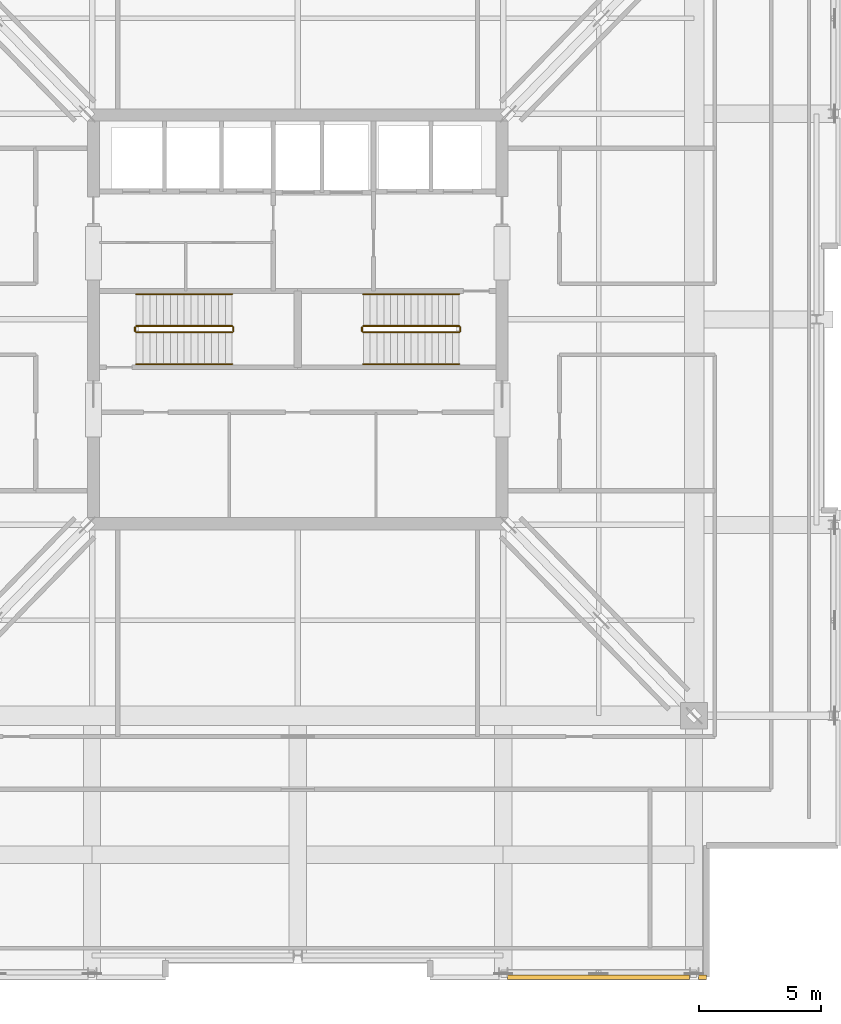
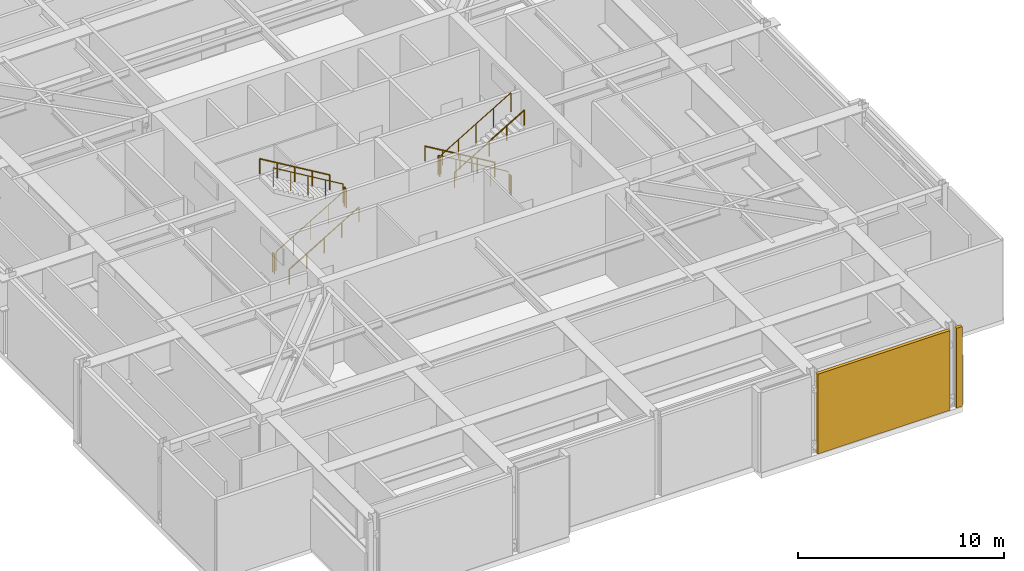
# One storey, part 9 of 10: 12 railings, 2 shading devices.
"""IFC4 building model written with IfcOpenShell, lengths in metres."""

from ifc_helpers import new_model, si_unit, direction, frame, origin, origin_2d, place, context, subcontext, project, spatial, rectangle, circle, extrude, material, layer, layer_set, type_object, element, save


model = new_model("IFC4")

# Units and contexts
model_context = context("Model", 3, precision=1e-05, world=origin(), true_north=direction((0.0, 1.0)))
body_context = subcontext(model_context, "Body", "Model", "MODEL_VIEW")
ifc_project = project(units=[si_unit("LENGTHUNIT", "METRE"), si_unit("AREAUNIT", "SQUARE_METRE"), si_unit("VOLUMEUNIT", "CUBIC_METRE"), si_unit("PLANEANGLEUNIT", "RADIAN"), si_unit("MASSUNIT", "GRAM", prefix="KILO")], contexts=[model_context])

# Site, building, storey
site_placement = place(None, origin())
site = spatial("IfcSite", under=ifc_project, at=site_placement, CompositionType="ELEMENT")
building_placement = place(site_placement, origin())
building = spatial("IfcBuilding", under=site, at=building_placement, Name="Drelvath Grand Hotel", CompositionType="ELEMENT")
storey_placement = place(building_placement, frame((0.0, 0.0, 260.0)))
storey = spatial("IfcBuildingStorey", under=building, at=storey_placement, Name="L68", CompositionType="ELEMENT", Elevation=260.0)

# Railings
ifc_material_1 = material(Name="Painted Steel S275", Category="steel")
railing_type_1 = type_object("IfcRailingType", Name="Core Stair Wall Handrail 900", PredefinedType="HANDRAIL", material=ifc_material_1)
railing_1_placement = place(storey_placement, frame((-6.60009765625, 25.169921875, 0.166748046875)))
element("IfcRailing", 1, at=railing_1_placement, inside=storey, type_object=railing_type_1, Name="L68 ST-1 stair handrail 1", PredefinedType="HANDRAIL", context=body_context, shape_type="SweptSolid", body=[
    extrude(circle(Radius=0.02392578125, at=origin_2d()), frame((0.0, 0.0, 0.8759765625), z_axis=(0.859310244771, 0.0, 0.511454693235), x_axis=(0.0, 1.0, 0.0)), (0.0, 0.0, 1.0), 4.56201171875),
    extrude(circle(Radius=0.02099609375, at=origin_2d()), origin(), (0.0, 0.0, 1.0), 0.851806640625),
    extrude(circle(Radius=0.02099609375, at=origin_2d()), frame((0.97998046875, 0.0, 0.583251953125)), (0.0, 0.0, 1.0), 0.851806640625),
    extrude(circle(Radius=0.02099609375, at=origin_2d()), frame((1.9599609375, 0.0, 1.16650390625)), (0.0, 0.0, 1.0), 0.851806640625),
    extrude(circle(Radius=0.02099609375, at=origin_2d()), frame((2.940185546875, 0.0, 1.75)), (0.0, 0.0, 1.0), 0.851806640625),
    extrude(circle(Radius=0.02099609375, at=origin_2d()), frame((3.920166015625, 0.0, 2.333251953125)), (0.0, 0.0, 1.0), 0.851806640625),
])
for number, where, name in (
    (2, (-2.679931640625, 28.030029296875, 2.666748046875), "L68 ST-1 stair handrail 2"),
    (3, (6.60009765625, 28.030029296875, 0.166748046875), "L68 ST-2 stair handrail 1"),
):
    element("IfcRailing", number, at=place(storey_placement, frame(where)), inside=storey, type_object=railing_type_1, Name=name, PredefinedType="HANDRAIL", context=body_context, shape_type="SweptSolid", body=[
        extrude(circle(Radius=0.02392578125, at=origin_2d()), frame((0.0, 0.0, 0.8759765625), z_axis=(-0.859310244771, 0.0, 0.511454693235), x_axis=(0.0, -1.0, 0.0)), (0.0, 0.0, 1.0), 4.56201171875),
        extrude(circle(Radius=0.02099609375, at=origin_2d()), origin(), (0.0, 0.0, 1.0), 0.851806640625),
        extrude(circle(Radius=0.02099609375, at=origin_2d()), frame((-0.97998046875, 0.0, 0.583251953125)), (0.0, 0.0, 1.0), 0.851806640625),
        extrude(circle(Radius=0.02099609375, at=origin_2d()), frame((-1.9599609375, 0.0, 1.16650390625)), (0.0, 0.0, 1.0), 0.851806640625),
        extrude(circle(Radius=0.02099609375, at=origin_2d()), frame((-2.940185546875, 0.0, 1.75)), (0.0, 0.0, 1.0), 0.851806640625),
        extrude(circle(Radius=0.02099609375, at=origin_2d()), frame((-3.920166015625, 0.0, 2.333251953125)), (0.0, 0.0, 1.0), 0.851806640625),
    ])
railing_2_placement = place(storey_placement, frame((2.679931640625, 25.169921875, 2.666748046875)))
element("IfcRailing", 4, at=railing_2_placement, inside=storey, type_object=railing_type_1, Name="L68 ST-2 stair handrail 2", PredefinedType="HANDRAIL", context=body_context, shape_type="SweptSolid", body=[
    extrude(circle(Radius=0.02392578125, at=origin_2d()), frame((0.0, 0.0, 0.8759765625), z_axis=(0.859310244771, 0.0, 0.511454693235), x_axis=(0.0, 1.0, 0.0)), (0.0, 0.0, 1.0), 4.56201171875),
    extrude(circle(Radius=0.02099609375, at=origin_2d()), origin(), (0.0, 0.0, 1.0), 0.851806640625),
    extrude(circle(Radius=0.02099609375, at=origin_2d()), frame((0.97998046875, 0.0, 0.583251953125)), (0.0, 0.0, 1.0), 0.851806640625),
    extrude(circle(Radius=0.02099609375, at=origin_2d()), frame((1.9599609375, 0.0, 1.16650390625)), (0.0, 0.0, 1.0), 0.851806640625),
    extrude(circle(Radius=0.02099609375, at=origin_2d()), frame((2.940185546875, 0.0, 1.75)), (0.0, 0.0, 1.0), 0.851806640625),
    extrude(circle(Radius=0.02099609375, at=origin_2d()), frame((3.920166015625, 0.0, 2.333251953125)), (0.0, 0.0, 1.0), 0.851806640625),
])
railing_type_2 = type_object("IfcRailingType", Name="Core Stair Well Guardrail 1100", PredefinedType="GUARDRAIL", material=ifc_material_1)
railing_3_placement = place(storey_placement, frame((-6.60009765625, 26.469970703125, 0.166748046875)))
element("IfcRailing", 5, at=railing_3_placement, inside=storey, type_object=railing_type_2, Name="L68 ST-1 stair guard 1", PredefinedType="GUARDRAIL", context=body_context, shape_type="SweptSolid", body=[
    extrude(circle(Radius=0.02392578125, at=origin_2d()), frame((0.0, 0.0, 1.1259765625), z_axis=(0.859310244771, 0.0, 0.511454693235), x_axis=(0.0, 1.0, 0.0)), (0.0, 0.0, 1.0), 4.56201171875),
    extrude(circle(Radius=0.02099609375, at=origin_2d()), origin(), (0.0, 0.0, 1.0), 1.101806640625),
    extrude(circle(Radius=0.02099609375, at=origin_2d()), frame((0.97998046875, 0.0, 0.583251953125)), (0.0, 0.0, 1.0), 1.101806640625),
    extrude(circle(Radius=0.02099609375, at=origin_2d()), frame((1.9599609375, 0.0, 1.16650390625)), (0.0, 0.0, 1.0), 1.101806640625),
    extrude(circle(Radius=0.02099609375, at=origin_2d()), frame((2.940185546875, 0.0, 1.75)), (0.0, 0.0, 1.0), 1.101806640625),
    extrude(circle(Radius=0.02099609375, at=origin_2d()), frame((3.920166015625, 0.0, 2.333251953125)), (0.0, 0.0, 1.0), 1.101806640625),
])
railing_4_placement = place(storey_placement, frame((-2.6298828125, 26.52001953125, 2.5)))
element("IfcRailing", 6, at=railing_4_placement, inside=storey, type_object=railing_type_2, Name="L68 ST-1 stair guard 2", PredefinedType="GUARDRAIL", context=body_context, shape_type="SweptSolid", body=[
    extrude(circle(Radius=0.02392578125, at=origin_2d()), frame((0.0, 0.0, 1.1259765625), z_axis=(0.0, 1.0, 0.0), x_axis=(-1.0, 0.0, 0.0)), (0.0, 0.0, 1.0), 0.159912109375),
    extrude(circle(Radius=0.02099609375, at=origin_2d()), origin(), (0.0, 0.0, 1.0), 1.101806640625),
    extrude(circle(Radius=0.02099609375, at=origin_2d()), frame((0.0, 0.159912109375, 0.0)), (0.0, 0.0, 1.0), 1.101806640625),
])
railing_5_placement = place(storey_placement, frame((-2.679931640625, 26.72998046875, 2.666748046875)))
element("IfcRailing", 7, at=railing_5_placement, inside=storey, type_object=railing_type_2, Name="L68 ST-1 stair guard 3", PredefinedType="GUARDRAIL", context=body_context, shape_type="SweptSolid", body=[
    extrude(circle(Radius=0.02392578125, at=origin_2d()), frame((0.0, 0.0, 1.1259765625), z_axis=(-0.859310244771, 0.0, 0.511454693235), x_axis=(0.0, -1.0, 0.0)), (0.0, 0.0, 1.0), 4.56201171875),
    extrude(circle(Radius=0.02099609375, at=origin_2d()), origin(), (0.0, 0.0, 1.0), 1.101806640625),
    extrude(circle(Radius=0.02099609375, at=origin_2d()), frame((-0.97998046875, 0.0, 0.583251953125)), (0.0, 0.0, 1.0), 1.101806640625),
    extrude(circle(Radius=0.02099609375, at=origin_2d()), frame((-1.9599609375, 0.0, 1.16650390625)), (0.0, 0.0, 1.0), 1.101806640625),
    extrude(circle(Radius=0.02099609375, at=origin_2d()), frame((-2.940185546875, 0.0, 1.75)), (0.0, 0.0, 1.0), 1.101806640625),
    extrude(circle(Radius=0.02099609375, at=origin_2d()), frame((-3.920166015625, 0.0, 2.333251953125)), (0.0, 0.0, 1.0), 1.101806640625),
])
railing_6_placement = place(storey_placement, frame((-6.64990234375, 26.52001953125, 0.0)))
element("IfcRailing", 8, at=railing_6_placement, inside=storey, type_object=railing_type_2, Name="L68 ST-1 stair guard 4", PredefinedType="GUARDRAIL", context=body_context, shape_type="SweptSolid", body=[
    extrude(circle(Radius=0.02392578125, at=origin_2d()), frame((0.0, 0.0, 1.1259765625), z_axis=(0.0, 1.0, 0.0), x_axis=(-1.0, 0.0, 0.0)), (0.0, 0.0, 1.0), 0.159912109375),
    extrude(circle(Radius=0.02099609375, at=origin_2d()), origin(), (0.0, 0.0, 1.0), 1.101806640625),
    extrude(circle(Radius=0.02099609375, at=origin_2d()), frame((0.0, 0.159912109375, 0.0)), (0.0, 0.0, 1.0), 1.101806640625),
])
railing_7_placement = place(storey_placement, frame((6.60009765625, 26.72998046875, 0.166748046875)))
element("IfcRailing", 9, at=railing_7_placement, inside=storey, type_object=railing_type_2, Name="L68 ST-2 stair guard 1", PredefinedType="GUARDRAIL", context=body_context, shape_type="SweptSolid", body=[
    extrude(circle(Radius=0.02392578125, at=origin_2d()), frame((0.0, 0.0, 1.1259765625), z_axis=(-0.859310244771, 0.0, 0.511454693235), x_axis=(0.0, -1.0, 0.0)), (0.0, 0.0, 1.0), 4.56201171875),
    extrude(circle(Radius=0.02099609375, at=origin_2d()), origin(), (0.0, 0.0, 1.0), 1.101806640625),
    extrude(circle(Radius=0.02099609375, at=origin_2d()), frame((-0.97998046875, 0.0, 0.583251953125)), (0.0, 0.0, 1.0), 1.101806640625),
    extrude(circle(Radius=0.02099609375, at=origin_2d()), frame((-1.9599609375, 0.0, 1.16650390625)), (0.0, 0.0, 1.0), 1.101806640625),
    extrude(circle(Radius=0.02099609375, at=origin_2d()), frame((-2.940185546875, 0.0, 1.75)), (0.0, 0.0, 1.0), 1.101806640625),
    extrude(circle(Radius=0.02099609375, at=origin_2d()), frame((-3.920166015625, 0.0, 2.333251953125)), (0.0, 0.0, 1.0), 1.101806640625),
])
railing_8_placement = place(storey_placement, frame((2.6298828125, 26.679931640625, 2.5)))
element("IfcRailing", 10, at=railing_8_placement, inside=storey, type_object=railing_type_2, Name="L68 ST-2 stair guard 2", PredefinedType="GUARDRAIL", context=body_context, shape_type="SweptSolid", body=[
    extrude(circle(Radius=0.02392578125, at=origin_2d()), frame((0.0, 0.0, 1.1259765625), z_axis=(0.0, -1.0, 0.0), x_axis=(1.0, 0.0, 0.0)), (0.0, 0.0, 1.0), 0.159912109375),
    extrude(circle(Radius=0.02099609375, at=origin_2d()), origin(), (0.0, 0.0, 1.0), 1.101806640625),
    extrude(circle(Radius=0.02099609375, at=origin_2d()), frame((0.0, -0.159912109375, 0.0)), (0.0, 0.0, 1.0), 1.101806640625),
])
railing_9_placement = place(storey_placement, frame((2.679931640625, 26.469970703125, 2.666748046875)))
element("IfcRailing", 11, at=railing_9_placement, inside=storey, type_object=railing_type_2, Name="L68 ST-2 stair guard 3", PredefinedType="GUARDRAIL", context=body_context, shape_type="SweptSolid", body=[
    extrude(circle(Radius=0.02392578125, at=origin_2d()), frame((0.0, 0.0, 1.1259765625), z_axis=(0.859310244771, 0.0, 0.511454693235), x_axis=(0.0, 1.0, 0.0)), (0.0, 0.0, 1.0), 4.56201171875),
    extrude(circle(Radius=0.02099609375, at=origin_2d()), origin(), (0.0, 0.0, 1.0), 1.101806640625),
    extrude(circle(Radius=0.02099609375, at=origin_2d()), frame((0.97998046875, 0.0, 0.583251953125)), (0.0, 0.0, 1.0), 1.101806640625),
    extrude(circle(Radius=0.02099609375, at=origin_2d()), frame((1.9599609375, 0.0, 1.16650390625)), (0.0, 0.0, 1.0), 1.101806640625),
    extrude(circle(Radius=0.02099609375, at=origin_2d()), frame((2.940185546875, 0.0, 1.75)), (0.0, 0.0, 1.0), 1.101806640625),
    extrude(circle(Radius=0.02099609375, at=origin_2d()), frame((3.920166015625, 0.0, 2.333251953125)), (0.0, 0.0, 1.0), 1.101806640625),
])
railing_10_placement = place(storey_placement, frame((6.64990234375, 26.679931640625, 0.0)))
element("IfcRailing", 12, at=railing_10_placement, inside=storey, type_object=railing_type_2, Name="L68 ST-2 stair guard 4", PredefinedType="GUARDRAIL", context=body_context, shape_type="SweptSolid", body=[
    extrude(circle(Radius=0.02392578125, at=origin_2d()), frame((0.0, 0.0, 1.1259765625), z_axis=(0.0, -1.0, 0.0), x_axis=(1.0, 0.0, 0.0)), (0.0, 0.0, 1.0), 0.159912109375),
    extrude(circle(Radius=0.02099609375, at=origin_2d()), origin(), (0.0, 0.0, 1.0), 1.101806640625),
    extrude(circle(Radius=0.02099609375, at=origin_2d()), frame((0.0, -0.159912109375, 0.0)), (0.0, 0.0, 1.0), 1.101806640625),
])

# Shading devices
ifc_material_2 = material(Name="Pale-Metal Anodised Aluminium Louvre", Category="aluminium")
ifc_layer = layer(ifc_material_2, 0.179931640625)
ifc_layer_set = layer_set([ifc_layer], Name="Pale-Metal Anodised Aluminium Louvre")
shading_device_type = type_object("IfcShadingDeviceType", Name="Mechanical Acoustic Weather Louvre Pale-Metal 180", PredefinedType="USERDEFINED", material=ifc_layer_set)
shading_device_1_placement = place(storey_placement, frame((12.300048828125, 0.1201171875, 0.0), z_axis=(0.0, 0.0, 1.0), x_axis=(1.0, 0.0, 0.0)))
element("IfcShadingDevice", 13, at=shading_device_1_placement, inside=storey, type_object=shading_device_type, Name="L68 Mechanical Plant Acoustic Louvre SE-2", ObjectType="LOUVRE", PredefinedType="USERDEFINED", context=body_context, shape_type="SweptSolid", body=[
    extrude(rectangle(XDim=7.443603515625, YDim=0.179931640625, at=origin_2d()), origin(), (0.0, 0.0, 1.0), 4.739990234375),
])
shading_device_2_placement = place(storey_placement, frame((16.5390625, 0.1201171875, 0.0), z_axis=(0.0, 0.0, 1.0), x_axis=(1.0, 0.0, 0.0)))
element("IfcShadingDevice", 14, at=shading_device_2_placement, inside=storey, type_object=shading_device_type, Name="L68 Mechanical Plant Acoustic Louvre SE-3", ObjectType="LOUVRE", PredefinedType="USERDEFINED", context=body_context, shape_type="SweptSolid", body=[
    extrude(rectangle(XDim=0.32177734375, YDim=0.179931640625, at=origin_2d()), origin(), (0.0, 0.0, 1.0), 4.739990234375),
])

save(model, "model.ifc")
